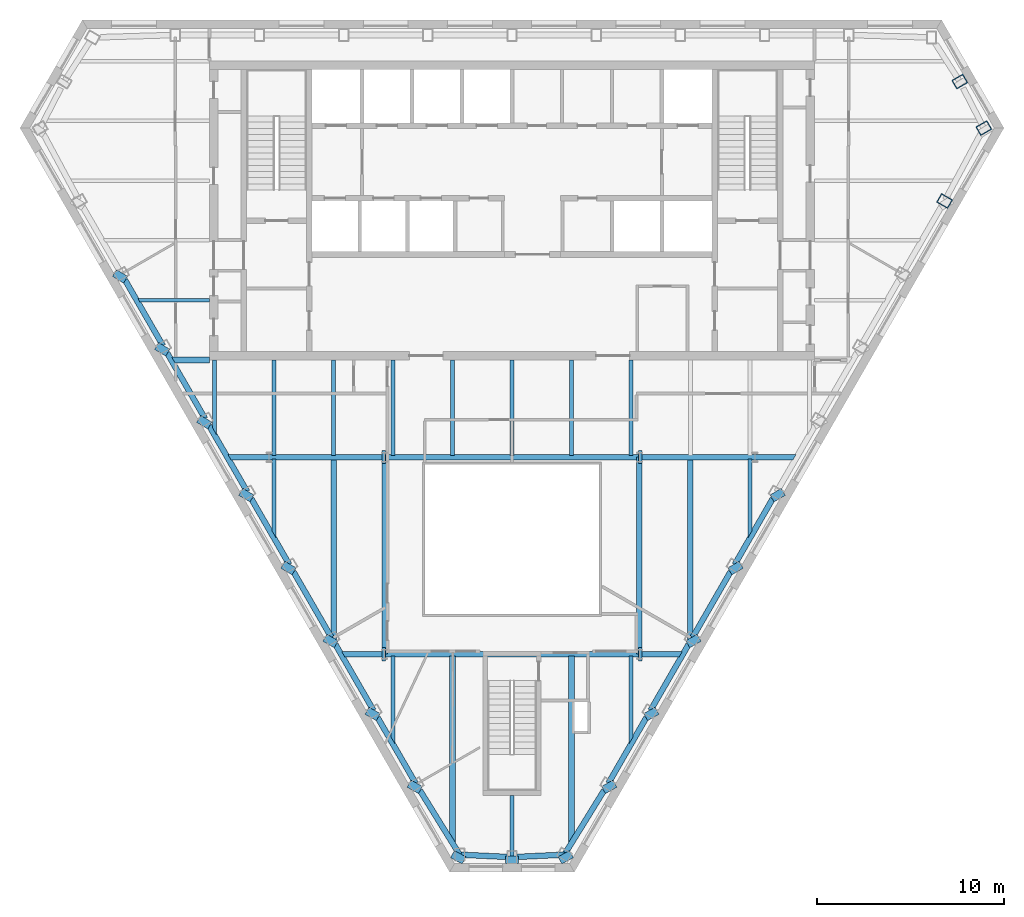
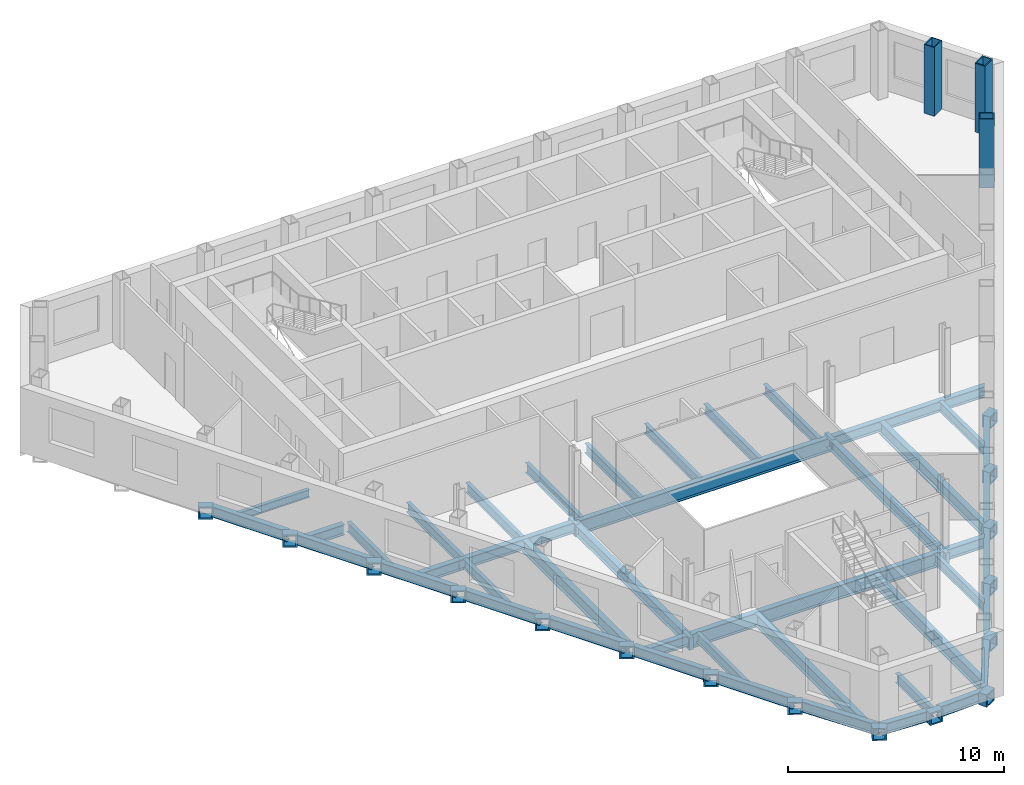
# One storey, part 2 of 10: 64 beams, 3 columns.
"""IFC4 building model written with IfcOpenShell, lengths in metres."""

import ifcopenshell
import ifcopenshell.guid

model = None  # the IFC model being written
_history = None  # IfcOwnerHistory: only IFC2X3 demands one
_inside = {}  # id of a spatial element -> (the spatial element, [elements in it])
_under = {}  # id of a project, library or spatial element -> (it, [spatial elements below it])
_declared = {}  # id of a project -> (the project, [libraries it declares])
_typed = {}  # id of a type object -> (the type object, [elements of that type])
_made_of = {}  # id of a material, layer set ... -> (it, [elements and type objects made of it])


def new_model(schema):
    """Start an empty IFC model of exactly this schema.

    Asked for "IFC4X3", IfcOpenShell would pick the latest addendum, in which some entities
    have other attributes; the version numbers below select the first issue.
    IFC2X3 requires an IfcOwnerHistory on every rooted entity: one is made here for all.
    """
    global model, _history
    if schema == "IFC4X3":
        model = ifcopenshell.file(schema_version=(4, 3, 0, 0))
    else:
        model = ifcopenshell.file(schema=schema)
    _inside.clear()
    _under.clear()
    _declared.clear()
    _typed.clear()
    _made_of.clear()
    _history = None
    if model.schema == "IFC2X3":
        org = make("IfcOrganization", Name="unknown")
        user = make(
            "IfcPersonAndOrganization",
            ThePerson=make("IfcPerson", FamilyName="unknown"),
            TheOrganization=org,
        )
        app = make(
            "IfcApplication",
            ApplicationDeveloper=org,
            Version="unknown",
            ApplicationFullName="unknown",
            ApplicationIdentifier="unknown",
        )
        _history = make(
            "IfcOwnerHistory",
            OwningUser=user,
            OwningApplication=app,
            ChangeAction="ADDED",
            CreationDate=0,
        )
    return model


def make(cls, **values):
    """One entity of the class cls with the attributes given. An attribute that is None is left unset."""
    return model.create_entity(
        cls, **{name: value for name, value in values.items() if value is not None}
    )


def rooted(cls, **values):
    """An entity with a GlobalId (a new one), such as an element, a storey or a relation."""
    return make(cls, GlobalId=ifcopenshell.guid.new(), OwnerHistory=_history, **values)


def si_unit(unit_type, name, prefix=None):
    """IfcSIUnit, for example si_unit("LENGTHUNIT", "METRE", prefix="MILLI")."""
    return make("IfcSIUnit", UnitType=unit_type, Prefix=prefix, Name=name)


def assignment(units):
    """IfcUnitAssignment: the units of a project."""
    return None if units is None else make("IfcUnitAssignment", Units=units)


def point(xyz):
    """IfcCartesianPoint."""
    return None if xyz is None else make("IfcCartesianPoint", Coordinates=xyz)


def direction(xyz):
    """IfcDirection."""
    return None if xyz is None else make("IfcDirection", DirectionRatios=xyz)


def frame(location, z_axis=None, x_axis=None):
    """IfcAxis2Placement3D, a coordinate frame: its origin and axes. An axis left out is left unset."""
    return make(
        "IfcAxis2Placement3D",
        Location=point(location),
        Axis=direction(z_axis),
        RefDirection=direction(x_axis),
    )


def frame_2d(location, x_axis=None):
    """IfcAxis2Placement2D, a coordinate frame in the plane: its origin and x axis."""
    return make(
        "IfcAxis2Placement2D", Location=point(location), RefDirection=direction(x_axis)
    )


def origin():
    """The frame at (0, 0, 0) with its axes left unset."""
    return frame((0.0, 0.0, 0.0))


def origin_2d():
    """The frame at (0, 0) in the plane with its x axis left unset."""
    return frame_2d((0.0, 0.0))


def place(relative_to, where):
    """IfcLocalPlacement: puts the frame where relative to a parent placement (None: the world)."""
    return make(
        "IfcLocalPlacement", PlacementRelTo=relative_to, RelativePlacement=where
    )


def context(
    kind, dimensions, precision=None, world=None, true_north=None, identifier=None
):
    """IfcGeometricRepresentationContext, for example the 3D "Model" context."""
    return make(
        "IfcGeometricRepresentationContext",
        ContextIdentifier=identifier,
        ContextType=kind,
        CoordinateSpaceDimension=dimensions,
        Precision=precision,
        WorldCoordinateSystem=world,
        TrueNorth=true_north,
    )


def subcontext(parent, identifier, kind, view, scale=None):
    """IfcGeometricRepresentationSubContext, for example "Body" below "Model"."""
    return make(
        "IfcGeometricRepresentationSubContext",
        ContextIdentifier=identifier,
        ContextType=kind,
        ParentContext=parent,
        TargetScale=scale,
        TargetView=view,
    )


def project(units=None, contexts=None):
    """IfcProject with its units and contexts."""
    return rooted(
        "IfcProject",
        Name="project",
        RepresentationContexts=contexts,
        UnitsInContext=assignment(units),
    )


def spatial(cls, under=None, at=None, **own):
    """A site, building, storey or space (cls), placed at a placement, below another one or the project."""
    s = rooted(cls, ObjectPlacement=at, **own)
    if under is not None:
        _under.setdefault(under.id(), (under, []))[1].append(s)
    return s


def profile(cls, at=None, kind="AREA", **sizes):
    """A parametric profile (cls). Its sizes go by their IFC names, for example OverallWidth=200.0."""
    return make(cls, ProfileType=kind, Position=at, **sizes)


def hollow_rectangle(**sizes):
    """IfcRectangleHollowProfileDef."""
    return profile("IfcRectangleHollowProfileDef", **sizes)


def i_section(**sizes):
    """IfcIShapeProfileDef."""
    return profile("IfcIShapeProfileDef", **sizes)


def extrude(swept, where, along, depth):
    """IfcExtrudedAreaSolid: the profile swept, set in the frame where, extruded along a direction by depth."""
    return make(
        "IfcExtrudedAreaSolid",
        SweptArea=swept,
        Position=where,
        ExtrudedDirection=direction(along),
        Depth=depth,
    )


def clip(a, b, op="DIFFERENCE"):
    """IfcBooleanClippingResult: the solid a cut by the half space b."""
    return make(
        "IfcBooleanClippingResult", Operator=op, FirstOperand=a, SecondOperand=b
    )


def halfspace(plane, agree):
    """IfcHalfSpaceSolid: all space on one side of the plane z = 0 of the frame plane."""
    return make(
        "IfcHalfSpaceSolid",
        BaseSurface=make("IfcPlane", Position=plane),
        AgreementFlag=agree,
    )


def shape(context_of_items, identifier, shape_type, items):
    """IfcShapeRepresentation: the items that make up one representation, for example the "Body"."""
    return make(
        "IfcShapeRepresentation",
        ContextOfItems=context_of_items,
        RepresentationIdentifier=identifier,
        RepresentationType=shape_type,
        Items=items,
    )


def material(Name=None, Category=None):
    """IfcMaterial."""
    return make("IfcMaterial", Name=Name, Category=Category)


def material_profile(
    of_material, cross_section, Name=None, Category=None, Priority=None
):
    """IfcMaterialProfile: a cross section and its material."""
    return make(
        "IfcMaterialProfile",
        Name=Name,
        Material=of_material,
        Profile=cross_section,
        Priority=Priority,
        Category=Category,
    )


def profile_set(profiles, Name=None, composite=None):
    """IfcMaterialProfileSet."""
    return make(
        "IfcMaterialProfileSet",
        Name=Name,
        MaterialProfiles=profiles,
        CompositeProfile=composite,
    )


def made_of(thing, what):
    """Note that an element or type object is made of a material, layer set ...; save() writes the relation."""
    if what is not None:
        _made_of.setdefault(what.id(), (what, []))[1].append(thing)
    return thing


def type_object(cls, material=None, **own):
    """A type object (cls), such as IfcWallType, which elements share."""
    return made_of(rooted(cls, **own), material)


def element(
    cls,
    number,
    at=None,
    inside=None,
    cuts=None,
    type_object=None,
    material=None,
    context=None,
    identifier="Body",
    shape_type=None,
    held_by="IfcProductDefinitionShape",
    body=None,
    shapes=None,
    **own,
):
    """One element of the class cls, such as IfcWall. Its Tag is "e" and its number.

    at: its placement. inside: the storey or other place that contains it. cuts: it is an
    opening in that element (IfcRelVoidsElement). A single representation is given by context,
    identifier, shape_type and body (its items); several are given by shapes. held_by: the class
    of the entity that holds the representations. save() writes the other relations.
    """
    e = rooted(cls, Tag="e%d" % number, ObjectPlacement=at, **own)
    if body is not None:
        shapes = [shape(context, identifier, shape_type, body)]
    if shapes is not None:
        e.Representation = make(held_by, Representations=shapes)
    if inside is not None:
        _inside.setdefault(inside.id(), (inside, []))[1].append(e)
    if cuts is not None:
        rooted(
            "IfcRelVoidsElement", RelatingBuildingElement=cuts, RelatedOpeningElement=e
        )
    if type_object is not None:
        _typed.setdefault(type_object.id(), (type_object, []))[1].append(e)
    return made_of(e, material)


def aggregate(whole, parts):
    """IfcRelAggregates: a whole, such as a stair, and the parts it consists of."""
    return rooted("IfcRelAggregates", RelatingObject=whole, RelatedObjects=parts)


def save(model, path):
    """Write the relations noted so far, then the file.

    IfcRelAggregates (storeys below a building ...), IfcRelContainedInSpatialStructure (elements
    in a storey), IfcRelDefinesByType, IfcRelAssociatesMaterial and IfcRelDeclares: one each for
    every whole, place, type object, material and project.
    """
    for whole, parts in _under.values():
        aggregate(whole, parts)
    for where, things in _inside.values():
        rooted(
            "IfcRelContainedInSpatialStructure",
            RelatedElements=things,
            RelatingStructure=where,
        )
    for kind, things in _typed.values():
        rooted("IfcRelDefinesByType", RelatedObjects=things, RelatingType=kind)
    for what, things in _made_of.values():
        rooted("IfcRelAssociatesMaterial", RelatedObjects=things, RelatingMaterial=what)
    for by, libraries in _declared.values():
        rooted("IfcRelDeclares", RelatingContext=by, RelatedDefinitions=libraries)
    model.write(path)


model = new_model("IFC4")

# Units and contexts
model_context = context("Model", 3, precision=1e-05, world=origin(), true_north=direction((0.0, 1.0)))
body_context = subcontext(model_context, "Body", "Model", "MODEL_VIEW")
ifc_project = project(units=[si_unit("LENGTHUNIT", "METRE"), si_unit("AREAUNIT", "SQUARE_METRE"), si_unit("VOLUMEUNIT", "CUBIC_METRE"), si_unit("PLANEANGLEUNIT", "RADIAN"), si_unit("MASSUNIT", "GRAM", prefix="KILO")], contexts=[model_context])

# Site, building, storey
site_placement = place(None, origin())
site = spatial("IfcSite", under=ifc_project, at=site_placement, CompositionType="ELEMENT")
building_placement = place(site_placement, origin())
building = spatial("IfcBuilding", under=site, at=building_placement, Name="Njiva Tower", CompositionType="ELEMENT")
storey_placement = place(building_placement, frame((0.0, 0.0, 227.7)))
storey = spatial("IfcBuildingStorey", under=building, at=storey_placement, Name="L51", CompositionType="ELEMENT", Elevation=227.7)

# Columns
ifc_material = material(Name="Steel S355 J2", Category="steel")
ifc_material_profile_1 = material_profile(ifc_material, hollow_rectangle(XDim=0.55, YDim=0.7, WallThickness=0.05, at=origin_2d()), Name="BOX 700x550x50")
ifc_profile_set_1 = profile_set([ifc_material_profile_1], Name="Steel S355 J2")
column_type = type_object("IfcColumnType", Name="C11 Perimeter tube column BOX 700x550x50", PredefinedType="COLUMN", material=ifc_profile_set_1)
for number, where, z_axis, x_axis, name in (
    (1, (23.158, 10.512, 0.0), (0.0, 0.0, 1.0), (0.5, 0.866025403784, 0.0), "Perimeter tube column S17-C34"),
    (2, (25.258, 14.415, 0.0), (0.0, 0.0, 1.0), (-0.5, 0.866025403784, 0.0), "Perimeter tube column S17-C35"),
    (3, (23.972, 16.907, 0.0), (0.0, 0.0, 1.0), (-0.5, 0.866025403784, 0.0), "Perimeter tube column S17-C36"),
):
    element("IfcColumn", number, at=place(storey_placement, frame(where, z_axis=z_axis, x_axis=x_axis)), inside=storey, type_object=column_type, Name=name, PredefinedType="COLUMN", context=body_context, shape_type="SweptSolid", body=[
        extrude(hollow_rectangle(XDim=0.55, YDim=0.7, WallThickness=0.05, at=origin_2d()), origin(), (0.0, 0.0, 1.0), 3.9),
    ])

# Beams
ifc_material_profile_2 = material_profile(ifc_material, i_section(OverallWidth=0.3, OverallDepth=0.69, WebThickness=0.0145, FlangeThickness=0.027, at=origin_2d()), Name="HEA 700")
ifc_profile_set_2 = profile_set([ifc_material_profile_2], Name="Steel S355 J2")
beam_type_1 = type_object("IfcBeamType", Name="B12 Long-span floor joist HEA 700", PredefinedType="JOIST", material=ifc_profile_set_2)
beam_1_placement = place(storey_placement, frame((-9.55, -3.3, -0.545), z_axis=(0.0, -1.0, 0.0), x_axis=(1.0, 0.0, 0.0)))
element("IfcBeam", 4, at=beam_1_placement, inside=storey, type_object=beam_type_1, Name="Long-span floor joist S17-B051", PredefinedType="JOIST", context=body_context, shape_type="Clipping", body=[
    clip(extrude(i_section(OverallWidth=0.3, OverallDepth=0.69, WebThickness=0.0145, FlangeThickness=0.027, at=origin_2d()), origin(), (0.0, 0.0, 1.0), 9.896), halfspace(frame((-0.0433, 0.0, 9.6194), z_axis=(-0.866026552831, 0.0, 0.499998009787), x_axis=(0.0, 1.0, 0.0)), False)),
])
beam_2_placement = place(storey_placement, frame((-3.183, -13.85, -0.545), z_axis=(0.0, -1.0, 0.0), x_axis=(1.0, 0.0, 0.0)))
element("IfcBeam", 5, at=beam_2_placement, inside=storey, type_object=beam_type_1, Name="Long-span floor joist S17-B056", PredefinedType="JOIST", context=body_context, shape_type="Clipping", body=[
    clip(extrude(i_section(OverallWidth=0.3, OverallDepth=0.69, WebThickness=0.0145, FlangeThickness=0.027, at=origin_2d()), origin(), (0.0, 0.0, 1.0), 10.012), halfspace(frame((-0.0429, 0.0, 9.7533), z_axis=(-0.850615955969, 0.0, 0.525787500281), x_axis=(0.0, 1.0, 0.0)), False)),
])
beam_3_placement = place(storey_placement, frame((3.183, -13.85, -0.545), z_axis=(0.0, -1.0, 0.0), x_axis=(1.0, 0.0, 0.0)))
element("IfcBeam", 6, at=beam_3_placement, inside=storey, type_object=beam_type_1, Name="Long-span floor joist S17-B061", PredefinedType="JOIST", context=body_context, shape_type="Clipping", body=[
    clip(extrude(i_section(OverallWidth=0.3, OverallDepth=0.69, WebThickness=0.0145, FlangeThickness=0.027, at=origin_2d()), origin(), (0.0, 0.0, 1.0), 10.012), halfspace(frame((0.0429, 0.0, 9.7533), z_axis=(0.850615955969, 0.0, 0.525787500281), x_axis=(0.0, 1.0, 0.0)), False)),
])
beam_4_placement = place(storey_placement, frame((9.55, -3.3, -0.545), z_axis=(0.0, -1.0, 0.0), x_axis=(1.0, 0.0, 0.0)))
element("IfcBeam", 7, at=beam_4_placement, inside=storey, type_object=beam_type_1, Name="Long-span floor joist S17-B065", PredefinedType="JOIST", context=body_context, shape_type="Clipping", body=[
    clip(extrude(i_section(OverallWidth=0.3, OverallDepth=0.69, WebThickness=0.0145, FlangeThickness=0.027, at=origin_2d()), origin(), (0.0, 0.0, 1.0), 9.896), halfspace(frame((0.0433, 0.0, 9.6194), z_axis=(0.866026552831, 0.0, 0.499998009787), x_axis=(0.0, 1.0, 0.0)), False)),
])
ifc_material_profile_3 = material_profile(ifc_material, hollow_rectangle(XDim=0.7, YDim=0.7, WallThickness=0.08, at=origin_2d()), Name="BOX 700x700x80")
ifc_profile_set_3 = profile_set([ifc_material_profile_3], Name="Steel S355 J2")
beam_type_2 = type_object("IfcBeamType", Name="B19 Column jog beam BOX 700x700x80", PredefinedType="BEAM", material=ifc_profile_set_3)
beam_5_placement = place(storey_placement, frame((-21.094, 6.295, -0.55), z_axis=(0.516220048366, 0.856455989334, 0.0), x_axis=(-0.856455989334, 0.516220048366, 0.0)))
element("IfcBeam", 8, at=beam_5_placement, inside=storey, type_object=beam_type_2, Name="Column jog beam S17-B022", PredefinedType="BEAM", context=body_context, shape_type="SweptSolid", body=[
    extrude(hollow_rectangle(XDim=0.7, YDim=0.7, WallThickness=0.08, at=origin_2d()), origin(), (0.0, 0.0, 1.0), 0.4262),
])
beam_6_placement = place(storey_placement, frame((-18.839, 2.389, -0.55), z_axis=(0.510377209409, 0.859950640511, 0.0), x_axis=(-0.859950640511, 0.510377209409, 0.0)))
element("IfcBeam", 9, at=beam_6_placement, inside=storey, type_object=beam_type_2, Name="Column jog beam S17-B023", PredefinedType="BEAM", context=body_context, shape_type="SweptSolid", body=[
    extrude(hollow_rectangle(XDim=0.7, YDim=0.7, WallThickness=0.08, at=origin_2d()), origin(), (0.0, 0.0, 1.0), 0.4291),
])
beam_7_placement = place(storey_placement, frame((-16.584, -1.515, -0.55), z_axis=(0.50314668799, 0.864201024279, 0.0), x_axis=(-0.864201024279, 0.50314668799, 0.0)))
element("IfcBeam", 10, at=beam_7_placement, inside=storey, type_object=beam_type_2, Name="Column jog beam S17-B024", PredefinedType="BEAM", context=body_context, shape_type="SweptSolid", body=[
    extrude(hollow_rectangle(XDim=0.7, YDim=0.7, WallThickness=0.08, at=origin_2d()), origin(), (0.0, 0.0, 1.0), 0.4293),
])
beam_8_placement = place(storey_placement, frame((-14.33, -5.42, -0.55), z_axis=(0.499387282788, 0.866378867349, 0.0), x_axis=(-0.866378867349, 0.499387282788, 0.0)))
element("IfcBeam", 11, at=beam_8_placement, inside=storey, type_object=beam_type_2, Name="Column jog beam S17-B025", PredefinedType="BEAM", context=body_context, shape_type="SweptSolid", body=[
    extrude(hollow_rectangle(XDim=0.7, YDim=0.7, WallThickness=0.08, at=origin_2d()), origin(), (0.0, 0.0, 1.0), 0.4305),
])
beam_9_placement = place(storey_placement, frame((-12.075, -9.324, -0.55), z_axis=(0.49663870818, 0.867957368502, 0.0), x_axis=(-0.867957368502, 0.49663870818, 0.0)))
element("IfcBeam", 12, at=beam_9_placement, inside=storey, type_object=beam_type_2, Name="Column jog beam S17-B026", PredefinedType="BEAM", context=body_context, shape_type="SweptSolid", body=[
    extrude(hollow_rectangle(XDim=0.7, YDim=0.7, WallThickness=0.08, at=origin_2d()), origin(), (0.0, 0.0, 1.0), 0.4309),
])
beam_10_placement = place(storey_placement, frame((-9.82, -13.229, -0.55), z_axis=(0.489380054182, 0.872070617879, 0.0), x_axis=(-0.872070617879, 0.489380054182, 0.0)))
element("IfcBeam", 13, at=beam_10_placement, inside=storey, type_object=beam_type_2, Name="Column jog beam S17-B027", PredefinedType="BEAM", context=body_context, shape_type="SweptSolid", body=[
    extrude(hollow_rectangle(XDim=0.7, YDim=0.7, WallThickness=0.08, at=origin_2d()), origin(), (0.0, 0.0, 1.0), 0.4312),
])
beam_11_placement = place(storey_placement, frame((-7.566, -17.134, -0.55), z_axis=(0.485642931179, 0.874157276122, 0.0), x_axis=(-0.874157276122, 0.485642931179, 0.0)))
element("IfcBeam", 14, at=beam_11_placement, inside=storey, type_object=beam_type_2, Name="Column jog beam S17-B028", PredefinedType="BEAM", context=body_context, shape_type="SweptSolid", body=[
    extrude(hollow_rectangle(XDim=0.7, YDim=0.7, WallThickness=0.08, at=origin_2d()), origin(), (0.0, 0.0, 1.0), 0.4324),
])
beam_12_placement = place(storey_placement, frame((-5.311, -21.039, -0.55), z_axis=(0.480946745691, 0.87674980913, 0.0), x_axis=(-0.87674980913, 0.480946745691, 0.0)))
element("IfcBeam", 15, at=beam_12_placement, inside=storey, type_object=beam_type_2, Name="Column jog beam S17-B031", PredefinedType="BEAM", context=body_context, shape_type="SweptSolid", body=[
    extrude(hollow_rectangle(XDim=0.7, YDim=0.7, WallThickness=0.08, at=origin_2d()), origin(), (0.0, 0.0, 1.0), 0.4346),
])
beam_13_placement = place(storey_placement, frame((-2.979, -24.811, -0.55), z_axis=(0.472730785937, 0.88120690194, 0.0), x_axis=(-0.88120690194, 0.472730785937, 0.0)))
element("IfcBeam", 16, at=beam_13_placement, inside=storey, type_object=beam_type_2, Name="Column jog beam S17-B032", PredefinedType="BEAM", context=body_context, shape_type="SweptSolid", body=[
    extrude(hollow_rectangle(XDim=0.7, YDim=0.7, WallThickness=0.08, at=origin_2d()), origin(), (0.0, 0.0, 1.0), 0.4358),
])
beam_14_placement = place(storey_placement, frame((0.0, -24.951, -0.55), z_axis=(0.0, 1.0, 0.0), x_axis=(-1.0, 0.0, 0.0)))
element("IfcBeam", 17, at=beam_14_placement, inside=storey, type_object=beam_type_2, Name="Column jog beam S17-B033", PredefinedType="BEAM", context=body_context, shape_type="SweptSolid", body=[
    extrude(hollow_rectangle(XDim=0.7, YDim=0.7, WallThickness=0.08, at=origin_2d()), origin(), (0.0, 0.0, 1.0), 0.397),
])
beam_15_placement = place(storey_placement, frame((2.979, -24.811, -0.55), z_axis=(-0.472730785937, 0.88120690194, 0.0), x_axis=(-0.88120690194, -0.472730785937, 0.0)))
element("IfcBeam", 18, at=beam_15_placement, inside=storey, type_object=beam_type_2, Name="Column jog beam S17-B034", PredefinedType="BEAM", context=body_context, shape_type="SweptSolid", body=[
    extrude(hollow_rectangle(XDim=0.7, YDim=0.7, WallThickness=0.08, at=origin_2d()), origin(), (0.0, 0.0, 1.0), 0.4358),
])
beam_16_placement = place(storey_placement, frame((5.311, -21.039, -0.55), z_axis=(-0.480946745691, 0.87674980913, 0.0), x_axis=(-0.87674980913, -0.480946745691, 0.0)))
element("IfcBeam", 19, at=beam_16_placement, inside=storey, type_object=beam_type_2, Name="Column jog beam S17-B035", PredefinedType="BEAM", context=body_context, shape_type="SweptSolid", body=[
    extrude(hollow_rectangle(XDim=0.7, YDim=0.7, WallThickness=0.08, at=origin_2d()), origin(), (0.0, 0.0, 1.0), 0.4346),
])
beam_17_placement = place(storey_placement, frame((7.566, -17.134, -0.55), z_axis=(-0.485642931179, 0.874157276122, 0.0), x_axis=(-0.874157276122, -0.485642931179, 0.0)))
element("IfcBeam", 20, at=beam_17_placement, inside=storey, type_object=beam_type_2, Name="Column jog beam S17-B038", PredefinedType="BEAM", context=body_context, shape_type="SweptSolid", body=[
    extrude(hollow_rectangle(XDim=0.7, YDim=0.7, WallThickness=0.08, at=origin_2d()), origin(), (0.0, 0.0, 1.0), 0.4324),
])
beam_18_placement = place(storey_placement, frame((9.82, -13.229, -0.55), z_axis=(-0.489380054182, 0.872070617879, 0.0), x_axis=(-0.872070617879, -0.489380054182, 0.0)))
element("IfcBeam", 21, at=beam_18_placement, inside=storey, type_object=beam_type_2, Name="Column jog beam S17-B039", PredefinedType="BEAM", context=body_context, shape_type="SweptSolid", body=[
    extrude(hollow_rectangle(XDim=0.7, YDim=0.7, WallThickness=0.08, at=origin_2d()), origin(), (0.0, 0.0, 1.0), 0.4312),
])
beam_19_placement = place(storey_placement, frame((12.075, -9.324, -0.55), z_axis=(-0.49663870818, 0.867957368502, 0.0), x_axis=(-0.867957368502, -0.49663870818, 0.0)))
element("IfcBeam", 22, at=beam_19_placement, inside=storey, type_object=beam_type_2, Name="Column jog beam S17-B040", PredefinedType="BEAM", context=body_context, shape_type="SweptSolid", body=[
    extrude(hollow_rectangle(XDim=0.7, YDim=0.7, WallThickness=0.08, at=origin_2d()), origin(), (0.0, 0.0, 1.0), 0.4309),
])
beam_20_placement = place(storey_placement, frame((14.33, -5.42, -0.55), z_axis=(-0.499387282788, 0.866378867349, 0.0), x_axis=(-0.866378867349, -0.499387282788, 0.0)))
element("IfcBeam", 23, at=beam_20_placement, inside=storey, type_object=beam_type_2, Name="Column jog beam S17-B041", PredefinedType="BEAM", context=body_context, shape_type="SweptSolid", body=[
    extrude(hollow_rectangle(XDim=0.7, YDim=0.7, WallThickness=0.08, at=origin_2d()), origin(), (0.0, 0.0, 1.0), 0.4305),
])
for number, where, z_axis, x_axis, name in (
    (24, (6.96, -3.2, -0.55), (-1.0, 0.0, 0.0), (0.0, -1.0, 0.0), "Column jog beam S17-B037"),
    (25, (-6.96, -3.2, -0.55), (1.0, 0.0, 0.0), (0.0, 1.0, 0.0), "Column jog beam S17-B030"),
    (26, (6.96, -13.75, -0.55), (-1.0, 0.0, 0.0), (0.0, -1.0, 0.0), "Column jog beam S17-B036"),
    (27, (-6.96, -13.75, -0.55), (1.0, 0.0, 0.0), (0.0, 1.0, 0.0), "Column jog beam S17-B029"),
):
    element("IfcBeam", number, at=place(storey_placement, frame(where, z_axis=z_axis, x_axis=x_axis)), inside=storey, type_object=beam_type_2, Name=name, PredefinedType="BEAM", context=body_context, shape_type="SweptSolid", body=[
        extrude(hollow_rectangle(XDim=0.7, YDim=0.7, WallThickness=0.08, at=origin_2d()), origin(), (0.0, 0.0, 1.0), 0.2),
    ])
ifc_material_profile_4 = material_profile(ifc_material, i_section(OverallWidth=0.3, OverallDepth=0.59, WebThickness=0.013, FlangeThickness=0.025, at=origin_2d()), Name="HEA 600")
ifc_profile_set_4 = profile_set([ifc_material_profile_4], Name="Steel S355 J2")
beam_type_3 = type_object("IfcBeamType", Name="B27 Short-span spandrel beam HEA 600", PredefinedType="SPANDREL", material=ifc_profile_set_4)
beam_21_placement = place(storey_placement, frame((-20.718, 6.286, -0.495), z_axis=(0.500006734102, -0.866021515814, 0.0), x_axis=(0.866021515814, 0.500006734102, 0.0)))
element("IfcBeam", 28, at=beam_21_placement, inside=storey, type_object=beam_type_3, Name="Short-span spandrel beam S17-B088", PredefinedType="SPANDREL", context=body_context, shape_type="SweptSolid", body=[
    extrude(i_section(OverallWidth=0.3, OverallDepth=0.59, WebThickness=0.013, FlangeThickness=0.025, at=origin_2d()), origin(), (0.0, 0.0, 1.0), 4.0599),
])
beam_22_placement = place(storey_placement, frame((-18.463, 2.38, -0.495), z_axis=(0.500035331196, -0.866005004348, 0.0), x_axis=(0.866005004348, 0.500035331196, 0.0)))
element("IfcBeam", 29, at=beam_22_placement, inside=storey, type_object=beam_type_3, Name="Short-span spandrel beam S17-B090", PredefinedType="SPANDREL", context=body_context, shape_type="SweptSolid", body=[
    extrude(i_section(OverallWidth=0.3, OverallDepth=0.59, WebThickness=0.013, FlangeThickness=0.025, at=origin_2d()), origin(), (0.0, 0.0, 1.0), 4.0577),
])
beam_23_placement = place(storey_placement, frame((-16.209, -1.524, -0.495), z_axis=(0.499928631667, -0.86606660439, 0.0), x_axis=(0.86606660439, 0.499928631667, 0.0)))
element("IfcBeam", 30, at=beam_23_placement, inside=storey, type_object=beam_type_3, Name="Short-span spandrel beam S17-B094", PredefinedType="SPANDREL", context=body_context, shape_type="SweptSolid", body=[
    extrude(i_section(OverallWidth=0.3, OverallDepth=0.59, WebThickness=0.013, FlangeThickness=0.025, at=origin_2d()), origin(), (0.0, 0.0, 1.0), 4.0586),
])
beam_24_placement = place(storey_placement, frame((-13.955, -5.428, -0.495), z_axis=(0.500113408832, -0.865959917263, 0.0), x_axis=(0.865959917263, 0.500113408832, 0.0)))
element("IfcBeam", 31, at=beam_24_placement, inside=storey, type_object=beam_type_3, Name="Short-span spandrel beam S17-B096", PredefinedType="SPANDREL", context=body_context, shape_type="SweptSolid", body=[
    extrude(i_section(OverallWidth=0.3, OverallDepth=0.59, WebThickness=0.013, FlangeThickness=0.025, at=origin_2d()), origin(), (0.0, 0.0, 1.0), 4.0591),
])
for number, where, z_axis, x_axis, name in (
    (32, (-11.7, -9.333, -0.495), (0.499928631667, -0.86606660439, 0.0), (0.86606660439, 0.499928631667, 0.0), "Short-span spandrel beam S17-B099"),
    (33, (-9.446, -13.238, -0.495), (0.499928631667, -0.86606660439, 0.0), (0.86606660439, 0.499928631667, 0.0), "Short-span spandrel beam S17-B101"),
):
    element("IfcBeam", number, at=place(storey_placement, frame(where, z_axis=z_axis, x_axis=x_axis)), inside=storey, type_object=beam_type_3, Name=name, PredefinedType="SPANDREL", context=body_context, shape_type="SweptSolid", body=[
        extrude(i_section(OverallWidth=0.3, OverallDepth=0.59, WebThickness=0.013, FlangeThickness=0.025, at=origin_2d()), origin(), (0.0, 0.0, 1.0), 4.0586),
    ])
beam_25_placement = place(storey_placement, frame((-7.192, -17.142, -0.495), z_axis=(0.500113408832, -0.865959917263, 0.0), x_axis=(0.865959917263, 0.500113408832, 0.0)))
element("IfcBeam", 34, at=beam_25_placement, inside=storey, type_object=beam_type_3, Name="Short-span spandrel beam S17-B104", PredefinedType="SPANDREL", context=body_context, shape_type="SweptSolid", body=[
    extrude(i_section(OverallWidth=0.3, OverallDepth=0.59, WebThickness=0.013, FlangeThickness=0.025, at=origin_2d()), origin(), (0.0, 0.0, 1.0), 4.0591),
])
beam_26_placement = place(storey_placement, frame((-4.927, -21.042, -0.495), z_axis=(0.525874503709, -0.850562170772, 0.0), x_axis=(0.850562170772, 0.525874503709, 0.0)))
element("IfcBeam", 35, at=beam_26_placement, inside=storey, type_object=beam_type_3, Name="Short-span spandrel beam S17-B106", PredefinedType="SPANDREL", context=body_context, shape_type="Clipping", body=[
    clip(extrude(i_section(OverallWidth=0.3, OverallDepth=0.59, WebThickness=0.013, FlangeThickness=0.025, at=origin_2d()), origin(), (0.0, 0.0, 1.0), 4.1292), halfspace(frame((-0.0265, 0.0, 3.9998), z_axis=(-0.525874503709, 0.0, 0.850562170772), x_axis=(0.0, 1.0, 0.0)), False)),
])
beam_27_placement = place(storey_placement, frame((-2.72, -24.484, -0.495), z_axis=(0.998862692276, -0.047679366378, 0.0), x_axis=(0.047679366378, 0.998862692276, 0.0)))
element("IfcBeam", 36, at=beam_27_placement, inside=storey, type_object=beam_type_3, Name="Short-span spandrel beam S17-B108", PredefinedType="SPANDREL", context=body_context, shape_type="SweptSolid", body=[
    extrude(i_section(OverallWidth=0.3, OverallDepth=0.59, WebThickness=0.013, FlangeThickness=0.025, at=origin_2d()), origin(), (0.0, 0.0, 1.0), 2.4958),
])
beam_28_placement = place(storey_placement, frame((0.227, -24.603, -0.495), z_axis=(0.998864571856, 0.047639973668, 0.0), x_axis=(-0.047639973668, 0.998864571856, 0.0)))
element("IfcBeam", 37, at=beam_28_placement, inside=storey, type_object=beam_type_3, Name="Short-span spandrel beam S17-B112", PredefinedType="SPANDREL", context=body_context, shape_type="Clipping", body=[
    clip(extrude(i_section(OverallWidth=0.3, OverallDepth=0.59, WebThickness=0.013, FlangeThickness=0.025, at=origin_2d()), origin(), (0.0, 0.0, 1.0), 2.6559), halfspace(frame((-0.0273, 0.0, 2.5223), z_axis=(-0.540687780147, 0.0, 0.84122334989), x_axis=(0.0, 1.0, 0.0)), False)),
])
beam_29_placement = place(storey_placement, frame((2.835, -24.427, -0.495), z_axis=(0.525722919695, 0.850655871494, 0.0), x_axis=(-0.850655871494, 0.525722919695, 0.0)))
element("IfcBeam", 38, at=beam_29_placement, inside=storey, type_object=beam_type_3, Name="Short-span spandrel beam S17-B113", PredefinedType="SPANDREL", context=body_context, shape_type="SweptSolid", body=[
    extrude(i_section(OverallWidth=0.3, OverallDepth=0.59, WebThickness=0.013, FlangeThickness=0.025, at=origin_2d()), origin(), (0.0, 0.0, 1.0), 3.9793),
])
beam_30_placement = place(storey_placement, frame((5.162, -20.657, -0.495), z_axis=(0.500113408832, 0.865959917263, 0.0), x_axis=(-0.865959917263, 0.500113408832, 0.0)))
element("IfcBeam", 39, at=beam_30_placement, inside=storey, type_object=beam_type_3, Name="Short-span spandrel beam S17-B116", PredefinedType="SPANDREL", context=body_context, shape_type="SweptSolid", body=[
    extrude(i_section(OverallWidth=0.3, OverallDepth=0.59, WebThickness=0.013, FlangeThickness=0.025, at=origin_2d()), origin(), (0.0, 0.0, 1.0), 4.0591),
])
for number, where, z_axis, x_axis, name in (
    (40, (7.417, -16.753, -0.495), (0.499928631667, 0.86606660439, 0.0), (-0.86606660439, 0.499928631667, 0.0), "Short-span spandrel beam S17-B118"),
    (41, (9.671, -12.848, -0.495), (0.499928631667, 0.86606660439, 0.0), (-0.86606660439, 0.499928631667, 0.0), "Short-span spandrel beam S17-B121"),
):
    element("IfcBeam", number, at=place(storey_placement, frame(where, z_axis=z_axis, x_axis=x_axis)), inside=storey, type_object=beam_type_3, Name=name, PredefinedType="SPANDREL", context=body_context, shape_type="SweptSolid", body=[
        extrude(i_section(OverallWidth=0.3, OverallDepth=0.59, WebThickness=0.013, FlangeThickness=0.025, at=origin_2d()), origin(), (0.0, 0.0, 1.0), 4.0586),
    ])
beam_31_placement = place(storey_placement, frame((11.925, -8.943, -0.495), z_axis=(0.500113408832, 0.865959917263, 0.0), x_axis=(-0.865959917263, 0.500113408832, 0.0)))
element("IfcBeam", 42, at=beam_31_placement, inside=storey, type_object=beam_type_3, Name="Short-span spandrel beam S17-B123", PredefinedType="SPANDREL", context=body_context, shape_type="SweptSolid", body=[
    extrude(i_section(OverallWidth=0.3, OverallDepth=0.59, WebThickness=0.013, FlangeThickness=0.025, at=origin_2d()), origin(), (0.0, 0.0, 1.0), 4.0591),
])
ifc_material_profile_5 = material_profile(ifc_material, i_section(OverallWidth=0.3, OverallDepth=0.59, WebThickness=0.013, FlangeThickness=0.025, at=origin_2d()), Name="HEA 600")
ifc_profile_set_5 = profile_set([ifc_material_profile_5], Name="Steel S355 J2")
beam_type_4 = type_object("IfcBeamType", Name="B28 Floor girder HEA 600", PredefinedType="BEAM", material=ifc_profile_set_5)
for number, where, z_axis, x_axis, name in (
    (43, (-13.0, -3.2, -0.495), (1.0, 0.0, 0.0), (0.0, 1.0, 0.0), "Floor girder S17-B013"),
    (44, (6.82, -3.2, -0.495), (1.0, 0.0, 0.0), (0.0, 1.0, 0.0), "Floor girder S17-B016"),
):
    element("IfcBeam", number, at=place(storey_placement, frame(where, z_axis=z_axis, x_axis=x_axis)), inside=storey, type_object=beam_type_4, Name=name, PredefinedType="BEAM", context=body_context, shape_type="SweptSolid", body=[
        extrude(i_section(OverallWidth=0.3, OverallDepth=0.59, WebThickness=0.013, FlangeThickness=0.025, at=origin_2d()), origin(), (0.0, 0.0, 1.0), 6.18),
    ])
ifc_material_profile_6 = material_profile(ifc_material, i_section(OverallWidth=0.3, OverallDepth=0.59, WebThickness=0.013, FlangeThickness=0.025, at=origin_2d()), Name="HEA 600")
ifc_profile_set_6 = profile_set([ifc_material_profile_6], Name="Steel S355 J2")
beam_type_5 = type_object("IfcBeamType", Name="B29 Short-span floor girder HEA 600", PredefinedType="BEAM", material=ifc_profile_set_6)
beam_32_placement = place(storey_placement, frame((-15.233, -3.2, -0.495), z_axis=(1.0, 0.0, 0.0), x_axis=(0.0, 1.0, 0.0)))
element("IfcBeam", 45, at=beam_32_placement, inside=storey, type_object=beam_type_5, Name="Short-span floor girder S17-B012", PredefinedType="BEAM", context=body_context, shape_type="Clipping", body=[
    clip(extrude(i_section(OverallWidth=0.3, OverallDepth=0.59, WebThickness=0.013, FlangeThickness=0.025, at=origin_2d()), origin(), (0.0, 0.0, 1.0), 2.233), halfspace(frame((-0.025, 0.0, 0.1217), z_axis=(-0.499998009787, 0.0, -0.866026552831), x_axis=(0.0, -1.0, 0.0)), False)),
])
beam_33_placement = place(storey_placement, frame((13.0, -3.2, -0.495), z_axis=(1.0, 0.0, 0.0), x_axis=(0.0, 1.0, 0.0)))
element("IfcBeam", 46, at=beam_33_placement, inside=storey, type_object=beam_type_5, Name="Short-span floor girder S17-B017", PredefinedType="BEAM", context=body_context, shape_type="Clipping", body=[
    clip(extrude(i_section(OverallWidth=0.3, OverallDepth=0.59, WebThickness=0.013, FlangeThickness=0.025, at=origin_2d()), origin(), (0.0, 0.0, 1.0), 2.233), halfspace(frame((-0.025, 0.0, 2.1113), z_axis=(-0.499998009787, 0.0, 0.866026552831), x_axis=(0.0, 1.0, 0.0)), False)),
])
beam_34_placement = place(storey_placement, frame((-9.142, -13.75, -0.495), z_axis=(1.0, 0.0, 0.0), x_axis=(0.0, 1.0, 0.0)))
element("IfcBeam", 47, at=beam_34_placement, inside=storey, type_object=beam_type_5, Name="Short-span floor girder S17-B014", PredefinedType="BEAM", context=body_context, shape_type="Clipping", body=[
    clip(extrude(i_section(OverallWidth=0.3, OverallDepth=0.59, WebThickness=0.013, FlangeThickness=0.025, at=origin_2d()), origin(), (0.0, 0.0, 1.0), 2.322), halfspace(frame((-0.025, 0.0, 0.1217), z_axis=(-0.499998009787, 0.0, -0.866026552831), x_axis=(0.0, -1.0, 0.0)), False)),
])
beam_35_placement = place(storey_placement, frame((6.82, -13.75, -0.495), z_axis=(1.0, 0.0, 0.0), x_axis=(0.0, 1.0, 0.0)))
element("IfcBeam", 48, at=beam_35_placement, inside=storey, type_object=beam_type_5, Name="Short-span floor girder S17-B015", PredefinedType="BEAM", context=body_context, shape_type="Clipping", body=[
    clip(extrude(i_section(OverallWidth=0.3, OverallDepth=0.59, WebThickness=0.013, FlangeThickness=0.025, at=origin_2d()), origin(), (0.0, 0.0, 1.0), 2.322), halfspace(frame((-0.025, 0.0, 2.2003), z_axis=(-0.499998009787, 0.0, 0.866026552831), x_axis=(0.0, 1.0, 0.0)), False)),
])
beam_36_placement = place(storey_placement, frame((-18.235, 2.0, -0.495), z_axis=(1.0, 0.0, 0.0), x_axis=(0.0, 1.0, 0.0)))
element("IfcBeam", 49, at=beam_36_placement, inside=storey, type_object=beam_type_5, Name="Short-span floor girder S17-B011", PredefinedType="BEAM", context=body_context, shape_type="Clipping", body=[
    clip(extrude(i_section(OverallWidth=0.3, OverallDepth=0.59, WebThickness=0.013, FlangeThickness=0.025, at=origin_2d()), origin(), (0.0, 0.0, 1.0), 2.035), halfspace(frame((-0.025, 0.0, 0.1214), z_axis=(-0.499998009787, 0.0, -0.866026552831), x_axis=(0.0, -1.0, 0.0)), False)),
])
ifc_material_profile_7 = material_profile(ifc_material, i_section(OverallWidth=0.3, OverallDepth=0.59, WebThickness=0.013, FlangeThickness=0.025, at=origin_2d()), Name="HEA 600")
ifc_profile_set_7 = profile_set([ifc_material_profile_7], Name="Steel S355 J2")
beam_type_6 = type_object("IfcBeamType", Name="B30 Long-span atrium trimmer beam HEA 600", PredefinedType="BEAM", material=ifc_profile_set_7)
for number, where, z_axis, x_axis, name in (
    (50, (6.82, -13.75, -0.495), (0.0, 1.0, 0.0), (-1.0, 0.0, 0.0), "Long-span atrium trimmer beam S17-B075"),
    (51, (-6.82, -3.2, -0.495), (0.0, -1.0, 0.0), (1.0, 0.0, 0.0), "Long-span atrium trimmer beam S17-B071"),
):
    element("IfcBeam", number, at=place(storey_placement, frame(where, z_axis=z_axis, x_axis=x_axis)), inside=storey, type_object=beam_type_6, Name=name, PredefinedType="BEAM", context=body_context, shape_type="SweptSolid", body=[
        extrude(i_section(OverallWidth=0.3, OverallDepth=0.59, WebThickness=0.013, FlangeThickness=0.025, at=origin_2d()), origin(), (0.0, 0.0, 1.0), 10.55),
    ])
ifc_material_profile_8 = material_profile(ifc_material, i_section(OverallWidth=0.21, OverallDepth=0.55, WebThickness=0.0111, FlangeThickness=0.0172, at=origin_2d()), Name="IPE 550")
ifc_profile_set_8 = profile_set([ifc_material_profile_8], Name="Steel S355 J2")
beam_type_7 = type_object("IfcBeamType", Name="B31 Short-span floor joist IPE 550", PredefinedType="JOIST", material=ifc_profile_set_8)
beam_37_placement = place(storey_placement, frame((-15.917, 1.995, -0.475), z_axis=(0.0, -1.0, 0.0), x_axis=(1.0, 0.0, 0.0)))
element("IfcBeam", 52, at=beam_37_placement, inside=storey, type_object=beam_type_7, Name="Short-span floor joist S17-B048", PredefinedType="JOIST", context=body_context, shape_type="Clipping", body=[
    clip(extrude(i_section(OverallWidth=0.21, OverallDepth=0.55, WebThickness=0.0111, FlangeThickness=0.0172, at=origin_2d()), origin(), (0.0, 0.0, 1.0), 4.027), halfspace(frame((-0.043, 0.0, 3.7501), z_axis=(-0.866026552831, 0.0, 0.499998009787), x_axis=(0.0, 1.0, 0.0)), False)),
])
beam_38_placement = place(storey_placement, frame((-12.733, -3.3, -0.475), z_axis=(0.0, -1.0, 0.0), x_axis=(1.0, 0.0, 0.0)))
element("IfcBeam", 53, at=beam_38_placement, inside=storey, type_object=beam_type_7, Name="Short-span floor joist S17-B049", PredefinedType="JOIST", context=body_context, shape_type="Clipping", body=[
    clip(extrude(i_section(OverallWidth=0.21, OverallDepth=0.55, WebThickness=0.0111, FlangeThickness=0.0172, at=origin_2d()), origin(), (0.0, 0.0, 1.0), 4.246), halfspace(frame((-0.0436, 0.0, 3.9688), z_axis=(-0.866026552831, 0.0, 0.499998009787), x_axis=(0.0, 1.0, 0.0)), False)),
])
beam_39_placement = place(storey_placement, frame((0.0, -21.3, -0.475), z_axis=(0.0, -1.0, 0.0), x_axis=(1.0, 0.0, 0.0)))
element("IfcBeam", 54, at=beam_39_placement, inside=storey, type_object=beam_type_7, Name="Short-span floor joist S17-B058", PredefinedType="JOIST", context=body_context, shape_type="SweptSolid", body=[
    extrude(i_section(OverallWidth=0.21, OverallDepth=0.55, WebThickness=0.0111, FlangeThickness=0.0172, at=origin_2d()), origin(), (0.0, 0.0, 1.0), 3.291),
])
beam_40_placement = place(storey_placement, frame((12.733, -3.3, -0.475), z_axis=(0.0, -1.0, 0.0), x_axis=(1.0, 0.0, 0.0)))
element("IfcBeam", 55, at=beam_40_placement, inside=storey, type_object=beam_type_7, Name="Short-span floor joist S17-B068", PredefinedType="JOIST", context=body_context, shape_type="Clipping", body=[
    clip(extrude(i_section(OverallWidth=0.21, OverallDepth=0.55, WebThickness=0.0111, FlangeThickness=0.0172, at=origin_2d()), origin(), (0.0, 0.0, 1.0), 4.246), halfspace(frame((0.0436, 0.0, 3.9688), z_axis=(0.866026552831, 0.0, 0.499998009787), x_axis=(0.0, 1.0, 0.0)), False)),
])
ifc_material_profile_9 = material_profile(ifc_material, i_section(OverallWidth=0.21, OverallDepth=0.55, WebThickness=0.0111, FlangeThickness=0.0172, at=origin_2d()), Name="IPE 550")
ifc_profile_set_9 = profile_set([ifc_material_profile_9], Name="Steel S355 J2")
beam_type_8 = type_object("IfcBeamType", Name="B32 Floor joist IPE 550", PredefinedType="JOIST", material=ifc_profile_set_9)
for number, where, z_axis, x_axis, name in (
    (56, (-12.733, 1.995, -0.475), (0.0, -1.0, 0.0), (1.0, 0.0, 0.0), "Floor joist S17-B050"),
    (57, (-9.55, 1.995, -0.475), (0.0, -1.0, 0.0), (1.0, 0.0, 0.0), "Floor joist S17-B053"),
    (58, (-6.367, 1.995, -0.475), (0.0, -1.0, 0.0), (1.0, 0.0, 0.0), "Floor joist S17-B055"),
):
    element("IfcBeam", number, at=place(storey_placement, frame(where, z_axis=z_axis, x_axis=x_axis)), inside=storey, type_object=beam_type_8, Name=name, PredefinedType="JOIST", context=body_context, shape_type="SweptSolid", body=[
        extrude(i_section(OverallWidth=0.21, OverallDepth=0.55, WebThickness=0.0111, FlangeThickness=0.0172, at=origin_2d()), origin(), (0.0, 0.0, 1.0), 5.095),
    ])
beam_41_placement = place(storey_placement, frame((-6.367, -13.85, -0.475), z_axis=(0.0, -1.0, 0.0), x_axis=(1.0, 0.0, 0.0)))
element("IfcBeam", 59, at=beam_41_placement, inside=storey, type_object=beam_type_8, Name="Floor joist S17-B054", PredefinedType="JOIST", context=body_context, shape_type="Clipping", body=[
    clip(extrude(i_section(OverallWidth=0.21, OverallDepth=0.55, WebThickness=0.0111, FlangeThickness=0.0172, at=origin_2d()), origin(), (0.0, 0.0, 1.0), 4.723), halfspace(frame((-0.043, 0.0, 4.4462), z_axis=(-0.866026552831, 0.0, 0.499998009787), x_axis=(0.0, 1.0, 0.0)), False)),
])
for number, where, z_axis, x_axis, name in (
    (60, (-3.183, 1.995, -0.475), (0.0, -1.0, 0.0), (1.0, 0.0, 0.0), "Floor joist S17-B057"),
    (61, (0.0, 1.995, -0.475), (0.0, -1.0, 0.0), (1.0, 0.0, 0.0), "Floor joist S17-B060"),
    (62, (3.183, 1.995, -0.475), (0.0, -1.0, 0.0), (1.0, 0.0, 0.0), "Floor joist S17-B062"),
    (63, (6.367, 1.995, -0.475), (0.0, -1.0, 0.0), (1.0, 0.0, 0.0), "Floor joist S17-B064"),
):
    element("IfcBeam", number, at=place(storey_placement, frame(where, z_axis=z_axis, x_axis=x_axis)), inside=storey, type_object=beam_type_8, Name=name, PredefinedType="JOIST", context=body_context, shape_type="SweptSolid", body=[
        extrude(i_section(OverallWidth=0.21, OverallDepth=0.55, WebThickness=0.0111, FlangeThickness=0.0172, at=origin_2d()), origin(), (0.0, 0.0, 1.0), 5.095),
    ])
beam_42_placement = place(storey_placement, frame((6.367, -13.85, -0.475), z_axis=(0.0, -1.0, 0.0), x_axis=(1.0, 0.0, 0.0)))
element("IfcBeam", 64, at=beam_42_placement, inside=storey, type_object=beam_type_8, Name="Floor joist S17-B063", PredefinedType="JOIST", context=body_context, shape_type="Clipping", body=[
    clip(extrude(i_section(OverallWidth=0.21, OverallDepth=0.55, WebThickness=0.0111, FlangeThickness=0.0172, at=origin_2d()), origin(), (0.0, 0.0, 1.0), 4.723), halfspace(frame((0.043, 0.0, 4.4462), z_axis=(0.866026552831, 0.0, 0.499998009787), x_axis=(0.0, 1.0, 0.0)), False)),
])
ifc_material_profile_10 = material_profile(ifc_material, i_section(OverallWidth=0.19, OverallDepth=0.45, WebThickness=0.0094, FlangeThickness=0.0146, at=origin_2d()), Name="IPE 450")
ifc_profile_set_10 = profile_set([ifc_material_profile_10], Name="Steel S355 J2")
beam_type_9 = type_object("IfcBeamType", Name="B38 Short-span floor beam to the core IPE 450", PredefinedType="BEAM", material=ifc_profile_set_10)
beam_43_placement = place(storey_placement, frame((-20.051, 5.2, -0.425), z_axis=(1.0, 0.0, 0.0), x_axis=(0.0, 1.0, 0.0)))
element("IfcBeam", 65, at=beam_43_placement, inside=storey, type_object=beam_type_9, Name="Short-span floor beam to the core S17-B005", PredefinedType="BEAM", context=body_context, shape_type="Clipping", body=[
    clip(extrude(i_section(OverallWidth=0.19, OverallDepth=0.45, WebThickness=0.0094, FlangeThickness=0.0146, at=origin_2d()), origin(), (0.0, 0.0, 1.0), 3.851), halfspace(frame((-0.025, 0.0, 0.0899), z_axis=(-0.499998009787, 0.0, -0.866026552831), x_axis=(0.0, -1.0, 0.0)), False)),
])
ifc_material_profile_11 = material_profile(ifc_material, i_section(OverallWidth=0.3, OverallDepth=0.79, WebThickness=0.015, FlangeThickness=0.028, at=origin_2d()), Name="HEA 800")
ifc_profile_set_11 = profile_set([ifc_material_profile_11], Name="Steel S355 J2")
beam_type_10 = type_object("IfcBeamType", Name="B9 Long-span atrium trimmer beam HEA 800", PredefinedType="BEAM", material=ifc_profile_set_11)
for number, where, z_axis, x_axis, name in (
    (66, (-6.82, -13.75, -0.595), (1.0, 0.0, 0.0), (0.0, 1.0, 0.0), "Long-span atrium trimmer beam S17-B072"),
    (67, (6.82, -3.2, -0.595), (-1.0, 0.0, 0.0), (0.0, -1.0, 0.0), "Long-span atrium trimmer beam S17-B074"),
):
    element("IfcBeam", number, at=place(storey_placement, frame(where, z_axis=z_axis, x_axis=x_axis)), inside=storey, type_object=beam_type_10, Name=name, PredefinedType="BEAM", context=body_context, shape_type="SweptSolid", body=[
        extrude(i_section(OverallWidth=0.3, OverallDepth=0.79, WebThickness=0.015, FlangeThickness=0.028, at=origin_2d()), origin(), (0.0, 0.0, 1.0), 13.64),
    ])

save(model, "model.ifc")
